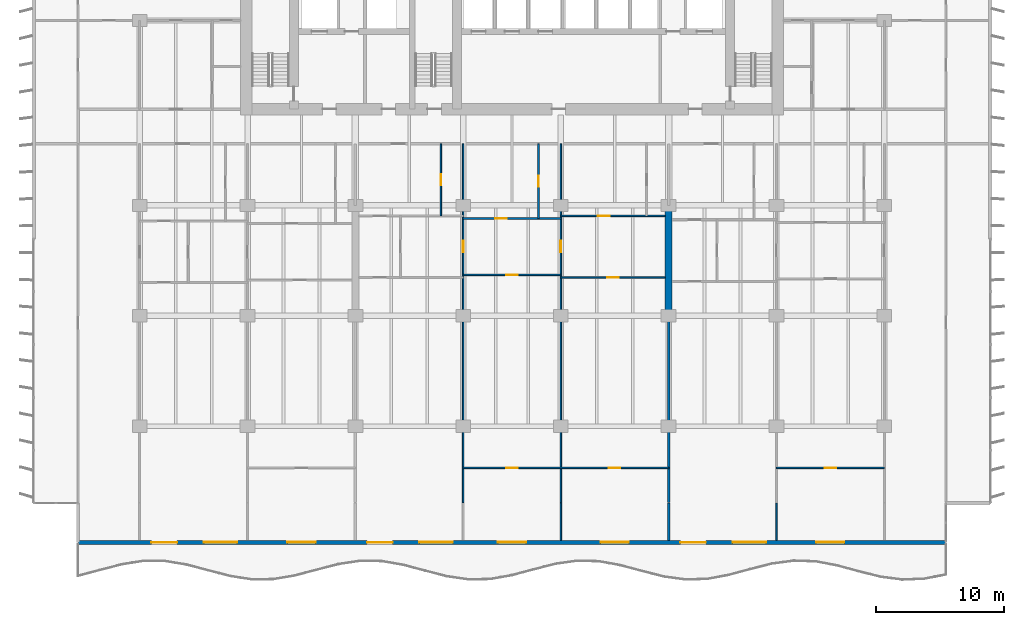
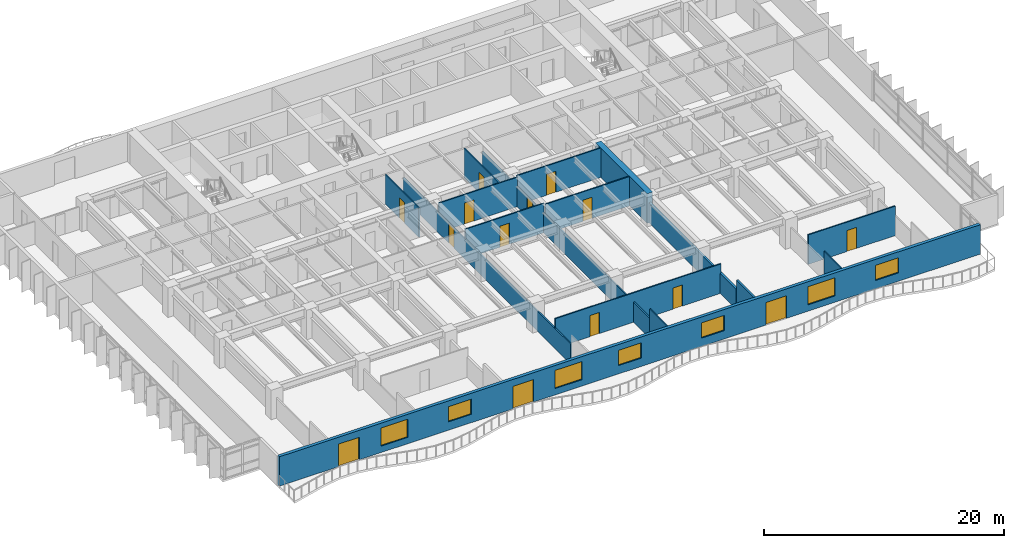
# One storey, part 7 of 15: 16 walls, 14 doors, 7 windows, 21 openings.
"""IFC4 building model written with IfcOpenShell, lengths in metres."""

from ifc_helpers import new_model, si_unit, direction, frame, frame_2d, origin, place, context, subcontext, project, spatial, rectangle, extrude, material, layer, layer_set, type_object, element, fill, save


model = new_model("IFC4")

# Units and contexts
model_context = context("Model", 3, precision=1e-05, world=origin(), true_north=direction((0.0, 1.0)))
body_context = subcontext(model_context, "Body", "Model", "MODEL_VIEW")
ifc_project = project(units=[si_unit("LENGTHUNIT", "METRE"), si_unit("AREAUNIT", "SQUARE_METRE"), si_unit("VOLUMEUNIT", "CUBIC_METRE"), si_unit("PLANEANGLEUNIT", "RADIAN"), si_unit("MASSUNIT", "GRAM", prefix="KILO")], contexts=[model_context])

# Site, building, storey
site_placement = place(None, origin())
site = spatial("IfcSite", under=ifc_project, at=site_placement, CompositionType="ELEMENT")
building_placement = place(site_placement, origin())
building = spatial("IfcBuilding", under=site, at=building_placement, Name="Caelmar Bay Residences", CompositionType="ELEMENT")
storey_placement = place(building_placement, frame((0.0, 0.0, 76.199951171875)))
storey = spatial("IfcBuildingStorey", under=building, at=storey_placement, Name="L20", CompositionType="ELEMENT", Elevation=76.199951171875)

# Wall
ifc_material_1 = material(Name="Concrete f'c 70 MPa (10,000 psi)", Category="concrete")
ifc_layer_1 = layer(ifc_material_1, 0.550048828125)
ifc_layer_set_1 = layer_set([ifc_layer_1], Name="Concrete f'c 70 MPa (10,000 psi)")
wall_type_1 = type_object("IfcWallType", Name="SW-XSLB-550", PredefinedType="SHEAR", material=ifc_layer_set_1)
wall_1_placement = place(storey_placement, frame((51.10009765625, 20.800048828125, 0.0), z_axis=(0.0, 0.0, 1.0), x_axis=(0.0, 1.0, 0.0)))
element("IfcWall", 1, at=wall_1_placement, inside=storey, type_object=wall_type_1, Name="L20 Transverse Cross-Slab Shear Wall E8", PredefinedType="SHEAR", context=body_context, shape_type="SweptSolid", body=[
    extrude(rectangle(XDim=8.599853515625, YDim=0.550048828125, at=frame_2d((4.2998046875, 0.0))), origin(), (0.0, 0.0, 1.0), 3.0),
])

# Wall, openings, doors, windows
ifc_material_2 = material(Name="Precast concrete f'c 40 MPa (6,000 psi)", Category="concrete")
ifc_layer_2 = layer(ifc_material_2, 0.300048828125)
ifc_layer_set_2 = layer_set([ifc_layer_2], Name="Precast concrete f'c 40 MPa (6,000 psi)")
wall_type_2 = type_object("IfcWallType", Name="W-EXT-300", PredefinedType="STANDARD", material=ifc_layer_set_2)
wall_2_placement = place(storey_placement, frame((72.699951171875, 3.14990234375, 0.0), z_axis=(0.0, 0.0, 1.0), x_axis=(-1.0, 0.0, 0.0)))
wall_2 = element("IfcWall", 2, at=wall_2_placement, inside=storey, type_object=wall_type_2, Name="L20 South Bayfront Exterior Wall", PredefinedType="STANDARD", context=body_context, shape_type="SweptSolid", body=[
    extrude(rectangle(XDim=67.599853515625, YDim=0.300048828125, at=frame_2d((33.7998046875, 0.0))), origin(), (0.0, 0.0, 1.0), 3.0),
])
opening_1_placement = place(wall_2_placement, frame((59.889892578125, 0.0, 0.0)))
opening_1 = element("IfcOpeningElement", 3, at=opening_1_placement, cuts=wall_2, Name="Opening L20-BD01", PredefinedType="OPENING", context=body_context, shape_type="SweptSolid", body=[
    extrude(rectangle(XDim=2.0, YDim=2.300048828125, at=frame_2d((1.0, 1.14990234375))), frame((0.0, 0.159912109375, 0.0), z_axis=(0.0, -1.0, 0.0), x_axis=(1.0, 0.0, 0.0)), (0.0, 0.0, 1.0), 0.320068359375),
])
opening_2_placement = place(wall_2_placement, frame((55.2099609375, 0.0, 0.64990234375)))
opening_2 = element("IfcOpeningElement", 4, at=opening_2_placement, cuts=wall_2, Name="Opening WN3", PredefinedType="OPENING", context=body_context, shape_type="SweptSolid", body=[
    extrude(rectangle(XDim=2.60009765625, YDim=1.85009765625, at=frame_2d((1.300048828125, 0.925048828125))), frame((0.0, 0.159912109375, 0.0), z_axis=(0.0, -1.0, 0.0), x_axis=(1.0, 0.0, 0.0)), (0.0, 0.0, 1.0), 0.320068359375),
])
opening_3_placement = place(wall_2_placement, frame((49.10009765625, 0.0, 0.85009765625)))
opening_3 = element("IfcOpeningElement", 5, at=opening_3_placement, cuts=wall_2, Name="Opening WN2", PredefinedType="OPENING", context=body_context, shape_type="SweptSolid", body=[
    extrude(rectangle(XDim=2.199951171875, YDim=1.550048828125, at=frame_2d((1.10009765625, 0.77490234375))), frame((0.0, 0.159912109375, 0.0), z_axis=(0.0, -1.0, 0.0), x_axis=(1.0, 0.0, 0.0)), (0.0, 0.0, 1.0), 0.320068359375),
])
opening_4_placement = place(wall_2_placement, frame((43.090087890625, 0.0, 0.0)))
opening_4 = element("IfcOpeningElement", 6, at=opening_4_placement, cuts=wall_2, Name="Opening L20-BD02", PredefinedType="OPENING", context=body_context, shape_type="SweptSolid", body=[
    extrude(rectangle(XDim=2.0, YDim=2.300048828125, at=frame_2d((1.0, 1.14990234375))), frame((0.0, 0.159912109375, 0.0), z_axis=(0.0, -1.0, 0.0), x_axis=(1.0, 0.0, 0.0)), (0.0, 0.0, 1.0), 0.320068359375),
])
opening_5_placement = place(wall_2_placement, frame((38.409912109375, 0.0, 0.64990234375)))
opening_5 = element("IfcOpeningElement", 7, at=opening_5_placement, cuts=wall_2, Name="Opening WN3", PredefinedType="OPENING", context=body_context, shape_type="SweptSolid", body=[
    extrude(rectangle(XDim=2.60009765625, YDim=1.85009765625, at=frame_2d((1.300048828125, 0.925048828125))), frame((0.0, 0.159912109375, 0.0), z_axis=(0.0, -1.0, 0.0), x_axis=(1.0, 0.0, 0.0)), (0.0, 0.0, 1.0), 0.320068359375),
])
opening_6_placement = place(wall_2_placement, frame((32.699951171875, 0.0, 0.85009765625)))
opening_6 = element("IfcOpeningElement", 8, at=opening_6_placement, cuts=wall_2, Name="Opening WN2", PredefinedType="OPENING", context=body_context, shape_type="SweptSolid", body=[
    extrude(rectangle(XDim=2.199951171875, YDim=1.550048828125, at=frame_2d((1.10009765625, 0.77490234375))), frame((0.0, 0.159912109375, 0.0), z_axis=(0.0, -1.0, 0.0), x_axis=(1.0, 0.0, 0.0)), (0.0, 0.0, 1.0), 0.320068359375),
])
opening_7_placement = place(wall_2_placement, frame((24.699951171875, 0.0, 0.85009765625)))
opening_7 = element("IfcOpeningElement", 9, at=opening_7_placement, cuts=wall_2, Name="Opening WN2", PredefinedType="OPENING", context=body_context, shape_type="SweptSolid", body=[
    extrude(rectangle(XDim=2.199951171875, YDim=1.550048828125, at=frame_2d((1.10009765625, 0.77490234375))), frame((0.0, 0.159912109375, 0.0), z_axis=(0.0, -1.0, 0.0), x_axis=(1.0, 0.0, 0.0)), (0.0, 0.0, 1.0), 0.320068359375),
])
opening_8_placement = place(wall_2_placement, frame((18.68994140625, 0.0, 0.0)))
opening_8 = element("IfcOpeningElement", 10, at=opening_8_placement, cuts=wall_2, Name="Opening L20-BD03", PredefinedType="OPENING", context=body_context, shape_type="SweptSolid", body=[
    extrude(rectangle(XDim=2.0, YDim=2.300048828125, at=frame_2d((1.0, 1.14990234375))), frame((0.0, 0.159912109375, 0.0), z_axis=(0.0, -1.0, 0.0), x_axis=(1.0, 0.0, 0.0)), (0.0, 0.0, 1.0), 0.320068359375),
])
opening_9_placement = place(wall_2_placement, frame((14.010009765625, 0.0, 0.64990234375)))
opening_9 = element("IfcOpeningElement", 11, at=opening_9_placement, cuts=wall_2, Name="Opening WN3", PredefinedType="OPENING", context=body_context, shape_type="SweptSolid", body=[
    extrude(rectangle(XDim=2.60009765625, YDim=1.85009765625, at=frame_2d((1.300048828125, 0.925048828125))), frame((0.0, 0.159912109375, 0.0), z_axis=(0.0, -1.0, 0.0), x_axis=(1.0, 0.0, 0.0)), (0.0, 0.0, 1.0), 0.320068359375),
])
opening_10_placement = place(wall_2_placement, frame((7.89990234375, 0.0, 0.85009765625)))
opening_10 = element("IfcOpeningElement", 12, at=opening_10_placement, cuts=wall_2, Name="Opening WN2", PredefinedType="OPENING", context=body_context, shape_type="SweptSolid", body=[
    extrude(rectangle(XDim=2.199951171875, YDim=1.550048828125, at=frame_2d((1.10009765625, 0.77490234375))), frame((0.0, 0.159912109375, 0.0), z_axis=(0.0, -1.0, 0.0), x_axis=(1.0, 0.0, 0.0)), (0.0, 0.0, 1.0), 0.320068359375),
])
ifc_material_3 = material(Name="Anodised bronze thermally broken sliding glass door", Category="glass")
ifc_layer_3 = layer(ifc_material_3, 0.050048828125)
ifc_layer_set_3 = layer_set([ifc_layer_3], Name="Anodised bronze thermally broken sliding glass door")
door_type_1 = type_object("IfcDoorType", Name="D-BAL-2000", OperationType="DOUBLE_DOOR_SLIDING", PredefinedType="DOOR", material=ifc_layer_set_3)
door_1_placement = place(opening_1_placement, origin())
door_1 = element("IfcDoor", 13, at=door_1_placement, inside=storey, type_object=door_type_1, Name="L20 Residence 01 Penthouse Living Salon Balcony Door", OperationType="DOUBLE_DOOR_SLIDING", OverallHeight=2.300048828125, OverallWidth=2.0, PredefinedType="DOOR", context=body_context, shape_type="SweptSolid", body=[
    extrude(rectangle(XDim=2.0, YDim=2.300048828125, at=frame_2d((1.0, 1.14990234375))), frame((0.0, 0.02490234375, 0.0), z_axis=(0.0, -1.0, 0.0), x_axis=(1.0, 0.0, 0.0)), (0.0, 0.0, 1.0), 0.050048828125),
])
fill(opening_1, door_1)
door_2_placement = place(opening_4_placement, origin())
door_2 = element("IfcDoor", 14, at=door_2_placement, inside=storey, type_object=door_type_1, Name="L20 Residence 02 Penthouse Living Salon Balcony Door", OperationType="DOUBLE_DOOR_SLIDING", OverallHeight=2.300048828125, OverallWidth=2.0, PredefinedType="DOOR", context=body_context, shape_type="SweptSolid", body=[
    extrude(rectangle(XDim=2.0, YDim=2.300048828125, at=frame_2d((1.0, 1.14990234375))), frame((0.0, 0.02490234375, 0.0), z_axis=(0.0, -1.0, 0.0), x_axis=(1.0, 0.0, 0.0)), (0.0, 0.0, 1.0), 0.050048828125),
])
fill(opening_4, door_2)
door_3_placement = place(opening_8_placement, origin())
door_3 = element("IfcDoor", 15, at=door_3_placement, inside=storey, type_object=door_type_1, Name="L20 Residence 03 Penthouse Living Salon Balcony Door", OperationType="DOUBLE_DOOR_SLIDING", OverallHeight=2.300048828125, OverallWidth=2.0, PredefinedType="DOOR", context=body_context, shape_type="SweptSolid", body=[
    extrude(rectangle(XDim=2.0, YDim=2.300048828125, at=frame_2d((1.0, 1.14990234375))), frame((0.0, 0.02490234375, 0.0), z_axis=(0.0, -1.0, 0.0), x_axis=(1.0, 0.0, 0.0)), (0.0, 0.0, 1.0), 0.050048828125),
])
fill(opening_8, door_3)
ifc_material_4 = material(Name="Bronze aluminium frame with laminated low-E glass", Category="aluminium")
ifc_layer_4 = layer(ifc_material_4, 0.06005859375)
ifc_layer_set_4 = layer_set([ifc_layer_4], Name="Bronze aluminium frame with laminated low-E glass")
window_type_1 = type_object("IfcWindowType", Name="WIN-BR-2200", PartitioningType="SINGLE_PANEL", PredefinedType="WINDOW", material=ifc_layer_set_4)
window_1_placement = place(opening_3_placement, origin())
window_1 = element("IfcWindow", 16, at=window_1_placement, inside=storey, type_object=window_type_1, Name="L20 Residence 01 Primary Bedroom 1 Window", OverallHeight=1.550048828125, OverallWidth=2.199951171875, PartitioningType="SINGLE_PANEL", PredefinedType="WINDOW", context=body_context, shape_type="SweptSolid", body=[
    extrude(rectangle(XDim=2.199951171875, YDim=1.550048828125, at=frame_2d((1.10009765625, 0.77490234375))), frame((0.0, 0.030029296875, 0.0), z_axis=(0.0, -1.0, 0.0), x_axis=(1.0, 0.0, 0.0)), (0.0, 0.0, 1.0), 0.06005859375),
])
fill(opening_3, window_1)
window_2_placement = place(opening_6_placement, origin())
window_2 = element("IfcWindow", 17, at=window_2_placement, inside=storey, type_object=window_type_1, Name="L20 Residence 02 Primary Bedroom 1 Window", OverallHeight=1.550048828125, OverallWidth=2.199951171875, PartitioningType="SINGLE_PANEL", PredefinedType="WINDOW", context=body_context, shape_type="SweptSolid", body=[
    extrude(rectangle(XDim=2.199951171875, YDim=1.550048828125, at=frame_2d((1.10009765625, 0.77490234375))), frame((0.0, 0.030029296875, 0.0), z_axis=(0.0, -1.0, 0.0), x_axis=(1.0, 0.0, 0.0)), (0.0, 0.0, 1.0), 0.06005859375),
])
fill(opening_6, window_2)
window_3_placement = place(opening_7_placement, origin())
window_3 = element("IfcWindow", 18, at=window_3_placement, inside=storey, type_object=window_type_1, Name="L20 Residence 02 Primary Bedroom 2 Window", OverallHeight=1.550048828125, OverallWidth=2.199951171875, PartitioningType="SINGLE_PANEL", PredefinedType="WINDOW", context=body_context, shape_type="SweptSolid", body=[
    extrude(rectangle(XDim=2.199951171875, YDim=1.550048828125, at=frame_2d((1.10009765625, 0.77490234375))), frame((0.0, 0.030029296875, 0.0), z_axis=(0.0, -1.0, 0.0), x_axis=(1.0, 0.0, 0.0)), (0.0, 0.0, 1.0), 0.06005859375),
])
fill(opening_7, window_3)
window_4_placement = place(opening_10_placement, origin())
window_4 = element("IfcWindow", 19, at=window_4_placement, inside=storey, type_object=window_type_1, Name="L20 Residence 03 Primary Bedroom 1 Window", OverallHeight=1.550048828125, OverallWidth=2.199951171875, PartitioningType="SINGLE_PANEL", PredefinedType="WINDOW", context=body_context, shape_type="SweptSolid", body=[
    extrude(rectangle(XDim=2.199951171875, YDim=1.550048828125, at=frame_2d((1.10009765625, 0.77490234375))), frame((0.0, 0.030029296875, 0.0), z_axis=(0.0, -1.0, 0.0), x_axis=(1.0, 0.0, 0.0)), (0.0, 0.0, 1.0), 0.06005859375),
])
fill(opening_10, window_4)
ifc_layer_5 = layer(ifc_material_4, 0.06005859375)
ifc_layer_set_5 = layer_set([ifc_layer_5], Name="Bronze aluminium frame with laminated low-E glass")
window_type_2 = type_object("IfcWindowType", Name="WIN-LIV-2600", PartitioningType="SINGLE_PANEL", PredefinedType="WINDOW", material=ifc_layer_set_5)
window_5_placement = place(opening_2_placement, origin())
window_5 = element("IfcWindow", 20, at=window_5_placement, inside=storey, type_object=window_type_2, Name="L20 Residence 01 Penthouse Living Salon Panoramic Window", OverallHeight=1.85009765625, OverallWidth=2.60009765625, PartitioningType="SINGLE_PANEL", PredefinedType="WINDOW", context=body_context, shape_type="SweptSolid", body=[
    extrude(rectangle(XDim=2.60009765625, YDim=1.85009765625, at=frame_2d((1.300048828125, 0.925048828125))), frame((0.0, 0.030029296875, 0.0), z_axis=(0.0, -1.0, 0.0), x_axis=(1.0, 0.0, 0.0)), (0.0, 0.0, 1.0), 0.06005859375),
])
fill(opening_2, window_5)
window_6_placement = place(opening_5_placement, origin())
window_6 = element("IfcWindow", 21, at=window_6_placement, inside=storey, type_object=window_type_2, Name="L20 Residence 02 Penthouse Living Salon Panoramic Window", OverallHeight=1.85009765625, OverallWidth=2.60009765625, PartitioningType="SINGLE_PANEL", PredefinedType="WINDOW", context=body_context, shape_type="SweptSolid", body=[
    extrude(rectangle(XDim=2.60009765625, YDim=1.85009765625, at=frame_2d((1.300048828125, 0.925048828125))), frame((0.0, 0.030029296875, 0.0), z_axis=(0.0, -1.0, 0.0), x_axis=(1.0, 0.0, 0.0)), (0.0, 0.0, 1.0), 0.06005859375),
])
fill(opening_5, window_6)
window_7_placement = place(opening_9_placement, origin())
window_7 = element("IfcWindow", 22, at=window_7_placement, inside=storey, type_object=window_type_2, Name="L20 Residence 03 Penthouse Living Salon Panoramic Window", OverallHeight=1.85009765625, OverallWidth=2.60009765625, PartitioningType="SINGLE_PANEL", PredefinedType="WINDOW", context=body_context, shape_type="SweptSolid", body=[
    extrude(rectangle(XDim=2.60009765625, YDim=1.85009765625, at=frame_2d((1.300048828125, 0.925048828125))), frame((0.0, 0.030029296875, 0.0), z_axis=(0.0, -1.0, 0.0), x_axis=(1.0, 0.0, 0.0)), (0.0, 0.0, 1.0), 0.06005859375),
])
fill(opening_9, window_7)

# Wall, opening, door
ifc_material_5 = material(Name="Acoustic metal-stud gypsum partition 120 mm")
ifc_layer_6 = layer(ifc_material_5, 0.1201171875)
ifc_layer_set_6 = layer_set([ifc_layer_6], Name="Acoustic metal-stud gypsum partition 120 mm")
wall_type_3 = type_object("IfcWallType", Name="W-PRT-120", PredefinedType="PARTITIONING", material=ifc_layer_set_6)
wall_3_placement = place(storey_placement, frame((33.35595703125, 28.580078125, 0.0), z_axis=(0.0, 0.0, 1.0), x_axis=(0.0, 1.0, 0.0)))
wall_3 = element("IfcWall", 23, at=wall_3_placement, inside=storey, type_object=wall_type_3, Name="L20 Partition Wall V022", PredefinedType="PARTITIONING", context=body_context, shape_type="SweptSolid", body=[
    extrude(rectangle(XDim=5.619873046875, YDim=0.1201171875, at=frame_2d((2.81005859375, 0.0))), origin(), (0.0, 0.0, 1.0), 3.0),
])
opening_11_placement = place(wall_3_placement, frame((2.385009765625, 0.0, 0.0)))
opening_11 = element("IfcOpeningElement", 24, at=opening_11_placement, cuts=wall_3, Name="Opening D-L20-133", PredefinedType="OPENING", context=body_context, shape_type="SweptSolid", body=[
    extrude(rectangle(XDim=0.85009765625, YDim=2.10009765625, at=frame_2d((0.425048828125, 1.050048828125))), frame((0.0, 0.070068359375, 0.0), z_axis=(0.0, -1.0, 0.0), x_axis=(1.0, 0.0, 0.0)), (0.0, 0.0, 1.0), 0.14013671875),
])
ifc_material_6 = material(Name="Solid walnut timber interior door leaf and frame", Category="wood")
ifc_layer_7 = layer(ifc_material_6, 0.050048828125)
ifc_layer_set_7 = layer_set([ifc_layer_7], Name="Solid walnut timber interior door leaf and frame")
door_type_2 = type_object("IfcDoorType", Name="D-BATH-850", OperationType="NOTDEFINED", PredefinedType="DOOR", material=ifc_layer_set_7)
door_4_placement = place(opening_11_placement, origin())
door_4 = element("IfcDoor", 25, at=door_4_placement, inside=storey, type_object=door_type_2, Name="L20 Residence 02 Guest Bathroom Door", OperationType="SINGLE_SWING_RIGHT", OverallHeight=2.10009765625, OverallWidth=0.85009765625, PredefinedType="DOOR", context=body_context, shape_type="SweptSolid", body=[
    extrude(rectangle(XDim=0.85009765625, YDim=2.10009765625, at=frame_2d((0.425048828125, 1.050048828125))), frame((0.0, 0.02490234375, 0.0), z_axis=(0.0, -1.0, 0.0), x_axis=(1.0, 0.0, 0.0)), (0.0, 0.0, 1.0), 0.050048828125),
])
fill(opening_11, door_4)

wall_4_placement = place(storey_placement, frame((35.10009765625, 6.239990234375, 0.0), z_axis=(0.0, 0.0, 1.0), x_axis=(0.0, 1.0, 0.0)))
wall_4 = element("IfcWall", 26, at=wall_4_placement, inside=storey, type_object=wall_type_3, Name="L20 Partition Wall V024", PredefinedType="PARTITIONING", context=body_context, shape_type="SweptSolid", body=[
    extrude(rectangle(XDim=27.9599609375, YDim=0.1201171875, at=frame_2d((13.97998046875, 0.0))), origin(), (0.0, 0.0, 1.0), 2.06005859375),
])
opening_12_placement = place(wall_4_placement, frame((19.489990234375, 0.0, 0.0)))
opening_12 = element("IfcOpeningElement", 27, at=opening_12_placement, cuts=wall_4, Name="Opening D-L20-137", PredefinedType="OPENING", context=body_context, shape_type="SweptSolid", body=[
    extrude(rectangle(XDim=0.89990234375, YDim=2.010009765625, at=frame_2d((0.449951171875, 1.0048828125))), frame((0.0, 0.070068359375, 0.0), z_axis=(0.0, -1.0, 0.0), x_axis=(1.0, 0.0, 0.0)), (0.0, 0.0, 1.0), 0.14013671875),
])
ifc_layer_8 = layer(ifc_material_6, 0.050048828125)
ifc_layer_set_8 = layer_set([ifc_layer_8], Name="Solid walnut timber interior door leaf and frame")
door_type_3 = type_object("IfcDoorType", Name="D-ROOM-900", OperationType="NOTDEFINED", PredefinedType="DOOR", material=ifc_layer_set_8)
door_5_placement = place(opening_12_placement, origin())
door_5 = element("IfcDoor", 28, at=door_5_placement, inside=storey, type_object=door_type_3, Name="L20 Residence 02 Reception Lounge 1 Door", OperationType="SINGLE_SWING_RIGHT", OverallHeight=2.010009765625, OverallWidth=0.89990234375, PredefinedType="DOOR", context=body_context, shape_type="SweptSolid", body=[
    extrude(rectangle(XDim=0.89990234375, YDim=2.010009765625, at=frame_2d((0.449951171875, 1.0048828125))), frame((0.0, 0.02490234375, 0.0), z_axis=(0.0, -1.0, 0.0), x_axis=(1.0, 0.0, 0.0)), (0.0, 0.0, 1.0), 0.050048828125),
])
fill(opening_12, door_5)

wall_5_placement = place(storey_placement, frame((40.965087890625, 28.3798828125, 0.0), z_axis=(0.0, 0.0, 1.0), x_axis=(0.0, 1.0, 0.0)))
wall_5 = element("IfcWall", 29, at=wall_5_placement, inside=storey, type_object=wall_type_3, Name="L20 Partition Wall V027", PredefinedType="PARTITIONING", context=body_context, shape_type="SweptSolid", body=[
    extrude(rectangle(XDim=5.820068359375, YDim=0.1201171875, at=frame_2d((2.91015625, 0.0))), origin(), (0.0, 0.0, 1.0), 3.0),
])
opening_13_placement = place(wall_5_placement, frame((2.485107421875, 0.0, 0.0)))
opening_13 = element("IfcOpeningElement", 30, at=opening_13_placement, cuts=wall_5, Name="Opening D-L20-139", PredefinedType="OPENING", context=body_context, shape_type="SweptSolid", body=[
    extrude(rectangle(XDim=0.85009765625, YDim=2.10009765625, at=frame_2d((0.425048828125, 1.050048828125))), frame((0.0, 0.070068359375, 0.0), z_axis=(0.0, -1.0, 0.0), x_axis=(1.0, 0.0, 0.0)), (0.0, 0.0, 1.0), 0.14013671875),
])
door_6_placement = place(opening_13_placement, origin())
door_6 = element("IfcDoor", 31, at=door_6_placement, inside=storey, type_object=door_type_2, Name="L20 Residence 02 En-Suite Bathroom 1 Door", OperationType="SINGLE_SWING_RIGHT", OverallHeight=2.10009765625, OverallWidth=0.85009765625, PredefinedType="DOOR", context=body_context, shape_type="SweptSolid", body=[
    extrude(rectangle(XDim=0.85009765625, YDim=2.10009765625, at=frame_2d((0.425048828125, 1.050048828125))), frame((0.0, 0.02490234375, 0.0), z_axis=(0.0, -1.0, 0.0), x_axis=(1.0, 0.0, 0.0)), (0.0, 0.0, 1.0), 0.050048828125),
])
fill(opening_13, door_6)

# Wall
wall_6_placement = place(storey_placement, frame((42.699951171875, 3.294921875, 0.0), z_axis=(0.0, 0.0, 1.0), x_axis=(0.0, 1.0, 0.0)))
element("IfcWall", 32, at=wall_6_placement, inside=storey, type_object=wall_type_3, Name="L20 Partition Wall V029", PredefinedType="PARTITIONING", context=body_context, shape_type="SweptSolid", body=[
    extrude(rectangle(XDim=2.905029296875, YDim=0.1201171875, at=frame_2d((1.45263671875, 0.0))), origin(), (0.0, 0.0, 1.0), 3.0),
])

# Wall, opening, door
wall_7_placement = place(storey_placement, frame((42.699951171875, 6.239990234375, 0.0), z_axis=(0.0, 0.0, 1.0), x_axis=(0.0, 1.0, 0.0)))
wall_7 = element("IfcWall", 33, at=wall_7_placement, inside=storey, type_object=wall_type_3, Name="L20 Partition Wall V030", PredefinedType="PARTITIONING", context=body_context, shape_type="SweptSolid", body=[
    extrude(rectangle(XDim=27.9599609375, YDim=0.1201171875, at=frame_2d((13.97998046875, 0.0))), origin(), (0.0, 0.0, 1.0), 2.06005859375),
])
opening_14_placement = place(wall_7_placement, frame((19.489990234375, 0.0, 0.0)))
opening_14 = element("IfcOpeningElement", 34, at=opening_14_placement, cuts=wall_7, Name="Opening D-L20-142", PredefinedType="OPENING", context=body_context, shape_type="SweptSolid", body=[
    extrude(rectangle(XDim=0.89990234375, YDim=2.010009765625, at=frame_2d((0.449951171875, 1.0048828125))), frame((0.0, 0.070068359375, 0.0), z_axis=(0.0, -1.0, 0.0), x_axis=(1.0, 0.0, 0.0)), (0.0, 0.0, 1.0), 0.14013671875),
])
door_7_placement = place(opening_14_placement, origin())
door_7 = element("IfcDoor", 35, at=door_7_placement, inside=storey, type_object=door_type_3, Name="L20 Residence 02 Reception Lounge 2 Door", OperationType="SINGLE_SWING_LEFT", OverallHeight=2.010009765625, OverallWidth=0.89990234375, PredefinedType="DOOR", context=body_context, shape_type="SweptSolid", body=[
    extrude(rectangle(XDim=0.89990234375, YDim=2.010009765625, at=frame_2d((0.449951171875, 1.0048828125))), frame((0.0, 0.02490234375, 0.0), z_axis=(0.0, -1.0, 0.0), x_axis=(1.0, 0.0, 0.0)), (0.0, 0.0, 1.0), 0.050048828125),
])
fill(opening_14, door_7)

# Wall
wall_8_placement = place(storey_placement, frame((59.5, 3.294921875, 0.0), z_axis=(0.0, 0.0, 1.0), x_axis=(0.0, 1.0, 0.0)))
element("IfcWall", 36, at=wall_8_placement, inside=storey, type_object=wall_type_3, Name="L20 Partition Wall V046", PredefinedType="PARTITIONING", context=body_context, shape_type="SweptSolid", body=[
    extrude(rectangle(XDim=2.905029296875, YDim=0.1201171875, at=frame_2d((1.45263671875, 0.0))), origin(), (0.0, 0.0, 1.0), 3.0),
])

# Wall, openings, doors
wall_9_placement = place(storey_placement, frame((35.10009765625, 8.949951171875, 0.0), z_axis=(0.0, 0.0, 1.0), x_axis=(1.0, 0.0, 0.0)))
wall_9 = element("IfcWall", 37, at=wall_9_placement, inside=storey, type_object=wall_type_3, Name="L20 Partition Wall H057", PredefinedType="PARTITIONING", context=body_context, shape_type="SweptSolid", body=[
    extrude(rectangle(XDim=16.0, YDim=0.1201171875, at=frame_2d((8.0, 0.0))), origin(), (0.0, 0.0, 1.0), 3.0),
])
opening_15_placement = place(wall_9_placement, frame((3.35009765625, 0.0, 0.0)))
opening_15 = element("IfcOpeningElement", 38, at=opening_15_placement, cuts=wall_9, Name="Opening D-L20-141", PredefinedType="OPENING", context=body_context, shape_type="SweptSolid", body=[
    extrude(rectangle(XDim=0.89990234375, YDim=2.14990234375, at=frame_2d((0.449951171875, 1.074951171875))), frame((0.0, 0.070068359375, 0.0), z_axis=(0.0, -1.0, 0.0), x_axis=(1.0, 0.0, 0.0)), (0.0, 0.0, 1.0), 0.14013671875),
])
opening_16_placement = place(wall_9_placement, frame((11.35009765625, 0.0, 0.0)))
opening_16 = element("IfcOpeningElement", 39, at=opening_16_placement, cuts=wall_9, Name="Opening D-L20-146", PredefinedType="OPENING", context=body_context, shape_type="SweptSolid", body=[
    extrude(rectangle(XDim=0.89990234375, YDim=2.14990234375, at=frame_2d((0.449951171875, 1.074951171875))), frame((0.0, 0.070068359375, 0.0), z_axis=(0.0, -1.0, 0.0), x_axis=(1.0, 0.0, 0.0)), (0.0, 0.0, 1.0), 0.14013671875),
])
door_8_placement = place(opening_15_placement, origin())
door_8 = element("IfcDoor", 40, at=door_8_placement, inside=storey, type_object=door_type_3, Name="L20 Residence 02 Primary Bedroom 1 Door", OperationType="SINGLE_SWING_RIGHT", OverallHeight=2.14990234375, OverallWidth=0.89990234375, PredefinedType="DOOR", context=body_context, shape_type="SweptSolid", body=[
    extrude(rectangle(XDim=0.89990234375, YDim=2.14990234375, at=frame_2d((0.449951171875, 1.074951171875))), frame((0.0, 0.02490234375, 0.0), z_axis=(0.0, -1.0, 0.0), x_axis=(1.0, 0.0, 0.0)), (0.0, 0.0, 1.0), 0.050048828125),
])
fill(opening_15, door_8)
door_9_placement = place(opening_16_placement, origin())
door_9 = element("IfcDoor", 41, at=door_9_placement, inside=storey, type_object=door_type_3, Name="L20 Residence 02 Primary Bedroom 2 Door", OperationType="SINGLE_SWING_LEFT", OverallHeight=2.14990234375, OverallWidth=0.89990234375, PredefinedType="DOOR", context=body_context, shape_type="SweptSolid", body=[
    extrude(rectangle(XDim=0.89990234375, YDim=2.14990234375, at=frame_2d((0.449951171875, 1.074951171875))), frame((0.0, 0.02490234375, 0.0), z_axis=(0.0, -1.0, 0.0), x_axis=(1.0, 0.0, 0.0)), (0.0, 0.0, 1.0), 0.050048828125),
])
fill(opening_16, door_9)

# Wall, opening, door
wall_10_placement = place(storey_placement, frame((59.5, 8.949951171875, 0.0), z_axis=(0.0, 0.0, 1.0), x_axis=(1.0, 0.0, 0.0)))
wall_10 = element("IfcWall", 42, at=wall_10_placement, inside=storey, type_object=wall_type_3, Name="L20 Partition Wall H058", PredefinedType="PARTITIONING", context=body_context, shape_type="SweptSolid", body=[
    extrude(rectangle(XDim=8.39990234375, YDim=0.1201171875, at=frame_2d((4.199951171875, 0.0))), origin(), (0.0, 0.0, 1.0), 3.0),
])
opening_17_placement = place(wall_10_placement, frame((3.75, 0.0, 0.0)))
opening_17 = element("IfcOpeningElement", 43, at=opening_17_placement, cuts=wall_10, Name="Opening D-L20-156", PredefinedType="OPENING", context=body_context, shape_type="SweptSolid", body=[
    extrude(rectangle(XDim=0.89990234375, YDim=2.14990234375, at=frame_2d((0.449951171875, 1.074951171875))), frame((0.0, 0.070068359375, 0.0), z_axis=(0.0, -1.0, 0.0), x_axis=(1.0, 0.0, 0.0)), (0.0, 0.0, 1.0), 0.14013671875),
])
door_10_placement = place(opening_17_placement, origin())
door_10 = element("IfcDoor", 44, at=door_10_placement, inside=storey, type_object=door_type_3, Name="L20 Residence 03 Primary Bedroom 1 Door", OperationType="SINGLE_SWING_LEFT", OverallHeight=2.14990234375, OverallWidth=0.89990234375, PredefinedType="DOOR", context=body_context, shape_type="SweptSolid", body=[
    extrude(rectangle(XDim=0.89990234375, YDim=2.14990234375, at=frame_2d((0.449951171875, 1.074951171875))), frame((0.0, 0.02490234375, 0.0), z_axis=(0.0, -1.0, 0.0), x_axis=(1.0, 0.0, 0.0)), (0.0, 0.0, 1.0), 0.050048828125),
])
fill(opening_17, door_10)

wall_11_placement = place(storey_placement, frame((42.699951171875, 23.780029296875, 0.0), z_axis=(0.0, 0.0, 1.0), x_axis=(1.0, 0.0, 0.0)))
wall_11 = element("IfcWall", 45, at=wall_11_placement, inside=storey, type_object=wall_type_3, Name="L20 Partition Wall H064", PredefinedType="PARTITIONING", context=body_context, shape_type="SweptSolid", body=[
    extrude(rectangle(XDim=8.130126953125, YDim=0.1201171875, at=frame_2d((4.06494140625, 0.0))), origin(), (0.0, 0.0, 1.0), 3.0),
])
opening_18_placement = place(wall_11_placement, frame((3.614990234375, 0.0, 0.0)))
opening_18 = element("IfcOpeningElement", 46, at=opening_18_placement, cuts=wall_11, Name="Opening D-L20-145", PredefinedType="OPENING", context=body_context, shape_type="SweptSolid", body=[
    extrude(rectangle(XDim=0.89990234375, YDim=2.14990234375, at=frame_2d((0.449951171875, 1.074951171875))), frame((0.0, 0.070068359375, 0.0), z_axis=(0.0, -1.0, 0.0), x_axis=(1.0, 0.0, 0.0)), (0.0, 0.0, 1.0), 0.14013671875),
])
door_11_placement = place(opening_18_placement, origin())
door_11 = element("IfcDoor", 47, at=door_11_placement, inside=storey, type_object=door_type_3, Name="L20 Residence 02 Penthouse Sitting Salon 2 Door", OperationType="SINGLE_SWING_RIGHT", OverallHeight=2.14990234375, OverallWidth=0.89990234375, PredefinedType="DOOR", context=body_context, shape_type="SweptSolid", body=[
    extrude(rectangle(XDim=0.89990234375, YDim=2.14990234375, at=frame_2d((0.449951171875, 1.074951171875))), frame((0.0, 0.02490234375, 0.0), z_axis=(0.0, -1.0, 0.0), x_axis=(1.0, 0.0, 0.0)), (0.0, 0.0, 1.0), 0.050048828125),
])
fill(opening_18, door_11)

wall_12_placement = place(storey_placement, frame((35.10498046875, 23.97998046875, 0.0), z_axis=(0.0, 0.0, 1.0), x_axis=(1.0, 0.0, 0.0)))
wall_12 = element("IfcWall", 48, at=wall_12_placement, inside=storey, type_object=wall_type_3, Name="L20 Partition Wall H065", PredefinedType="PARTITIONING", context=body_context, shape_type="SweptSolid", body=[
    extrude(rectangle(XDim=7.590087890625, YDim=0.1201171875, at=frame_2d((3.794921875, 0.0))), origin(), (0.0, 0.0, 1.0), 3.0),
])
opening_19_placement = place(wall_12_placement, frame((3.344970703125, 0.0, 0.0)))
opening_19 = element("IfcOpeningElement", 49, at=opening_19_placement, cuts=wall_12, Name="Opening D-L20-140", PredefinedType="OPENING", context=body_context, shape_type="SweptSolid", body=[
    extrude(rectangle(XDim=0.89990234375, YDim=2.14990234375, at=frame_2d((0.449951171875, 1.074951171875))), frame((0.0, 0.070068359375, 0.0), z_axis=(0.0, -1.0, 0.0), x_axis=(1.0, 0.0, 0.0)), (0.0, 0.0, 1.0), 0.14013671875),
])
door_12_placement = place(opening_19_placement, origin())
door_12 = element("IfcDoor", 50, at=door_12_placement, inside=storey, type_object=door_type_3, Name="L20 Residence 02 Penthouse Sitting Salon 1 Door", OperationType="SINGLE_SWING_LEFT", OverallHeight=2.14990234375, OverallWidth=0.89990234375, PredefinedType="DOOR", context=body_context, shape_type="SweptSolid", body=[
    extrude(rectangle(XDim=0.89990234375, YDim=2.14990234375, at=frame_2d((0.449951171875, 1.074951171875))), frame((0.0, 0.02490234375, 0.0), z_axis=(0.0, -1.0, 0.0), x_axis=(1.0, 0.0, 0.0)), (0.0, 0.0, 1.0), 0.050048828125),
])
fill(opening_19, door_12)

wall_13_placement = place(storey_placement, frame((35.10009765625, 28.3798828125, 0.0), z_axis=(0.0, 0.0, 1.0), x_axis=(1.0, 0.0, 0.0)))
wall_13 = element("IfcWall", 51, at=wall_13_placement, inside=storey, type_object=wall_type_3, Name="L20 Partition Wall H070", PredefinedType="PARTITIONING", context=body_context, shape_type="SweptSolid", body=[
    extrude(rectangle(XDim=7.599853515625, YDim=0.1201171875, at=frame_2d((3.7998046875, 0.0))), origin(), (0.0, 0.0, 1.0), 3.0),
])
opening_20_placement = place(wall_13_placement, frame((2.482421875, 0.0, 0.0)))
opening_20 = element("IfcOpeningElement", 52, at=opening_20_placement, cuts=wall_13, Name="Opening D-L20-138", PredefinedType="OPENING", context=body_context, shape_type="SweptSolid", body=[
    extrude(rectangle(XDim=0.89990234375, YDim=2.14990234375, at=frame_2d((0.449951171875, 1.074951171875))), frame((0.0, 0.070068359375, 0.0), z_axis=(0.0, -1.0, 0.0), x_axis=(1.0, 0.0, 0.0)), (0.0, 0.0, 1.0), 0.14013671875),
])
door_13_placement = place(opening_20_placement, origin())
door_13 = element("IfcDoor", 53, at=door_13_placement, inside=storey, type_object=door_type_3, Name="L20 Residence 02 Private Reception Room 1 Door", OperationType="SINGLE_SWING_LEFT", OverallHeight=2.14990234375, OverallWidth=0.89990234375, PredefinedType="DOOR", context=body_context, shape_type="SweptSolid", body=[
    extrude(rectangle(XDim=0.89990234375, YDim=2.14990234375, at=frame_2d((0.449951171875, 1.074951171875))), frame((0.0, 0.02490234375, 0.0), z_axis=(0.0, -1.0, 0.0), x_axis=(1.0, 0.0, 0.0)), (0.0, 0.0, 1.0), 0.050048828125),
])
fill(opening_20, door_13)

wall_14_placement = place(storey_placement, frame((42.705078125, 28.580078125, 0.0), z_axis=(0.0, 0.0, 1.0), x_axis=(1.0, 0.0, 0.0)))
wall_14 = element("IfcWall", 54, at=wall_14_placement, inside=storey, type_object=wall_type_3, Name="L20 Partition Wall H072", PredefinedType="PARTITIONING", context=body_context, shape_type="SweptSolid", body=[
    extrude(rectangle(XDim=8.125, YDim=0.1201171875, at=frame_2d((4.0625, 0.0))), origin(), (0.0, 0.0, 1.0), 3.0),
])
opening_21_placement = place(wall_14_placement, frame((2.8935546875, 0.0, 0.0)))
opening_21 = element("IfcOpeningElement", 55, at=opening_21_placement, cuts=wall_14, Name="Opening D-L20-143", PredefinedType="OPENING", context=body_context, shape_type="SweptSolid", body=[
    extrude(rectangle(XDim=0.89990234375, YDim=2.14990234375, at=frame_2d((0.449951171875, 1.074951171875))), frame((0.0, 0.070068359375, 0.0), z_axis=(0.0, -1.0, 0.0), x_axis=(1.0, 0.0, 0.0)), (0.0, 0.0, 1.0), 0.14013671875),
])
door_14_placement = place(opening_21_placement, origin())
door_14 = element("IfcDoor", 56, at=door_14_placement, inside=storey, type_object=door_type_3, Name="L20 Residence 02 Private Reception Room 2 Door", OperationType="SINGLE_SWING_RIGHT", OverallHeight=2.14990234375, OverallWidth=0.89990234375, PredefinedType="DOOR", context=body_context, shape_type="SweptSolid", body=[
    extrude(rectangle(XDim=0.89990234375, YDim=2.14990234375, at=frame_2d((0.449951171875, 1.074951171875))), frame((0.0, 0.02490234375, 0.0), z_axis=(0.0, -1.0, 0.0), x_axis=(1.0, 0.0, 0.0)), (0.0, 0.0, 1.0), 0.050048828125),
])
fill(opening_21, door_14)

# Walls
ifc_material_7 = material(Name="Acoustic twin-stud fire-rated inter-tenancy partition 200 mm")
ifc_layer_9 = layer(ifc_material_7, 0.199951171875)
ifc_layer_set_9 = layer_set([ifc_layer_9], Name="Acoustic twin-stud fire-rated inter-tenancy partition 200 mm")
wall_type_4 = type_object("IfcWallType", Name="W-PTY-200", PredefinedType="PARTITIONING", material=ifc_layer_set_9)
wall_15_placement = place(storey_placement, frame((51.10009765625, 3.294921875, 0.0), z_axis=(0.0, 0.0, 1.0), x_axis=(0.0, 1.0, 0.0)))
element("IfcWall", 57, at=wall_15_placement, inside=storey, type_object=wall_type_4, Name="L20 Partition Wall V039", PredefinedType="PARTITIONING", context=body_context, shape_type="SweptSolid", body=[
    extrude(rectangle(XDim=2.905029296875, YDim=0.199951171875, at=frame_2d((1.45263671875, 0.0))), origin(), (0.0, 0.0, 1.0), 3.0),
])
wall_16_placement = place(storey_placement, frame((51.10009765625, 6.239990234375, 0.0), z_axis=(0.0, 0.0, 1.0), x_axis=(0.0, 1.0, 0.0)))
element("IfcWall", 58, at=wall_16_placement, inside=storey, type_object=wall_type_4, Name="L20 Partition Wall V040", PredefinedType="PARTITIONING", context=body_context, shape_type="SweptSolid", body=[
    extrude(rectangle(XDim=14.554931640625, YDim=0.199951171875, at=frame_2d((7.27734375, 0.0))), origin(), (0.0, 0.0, 1.0), 2.06005859375),
])

save(model, "model.ifc")
